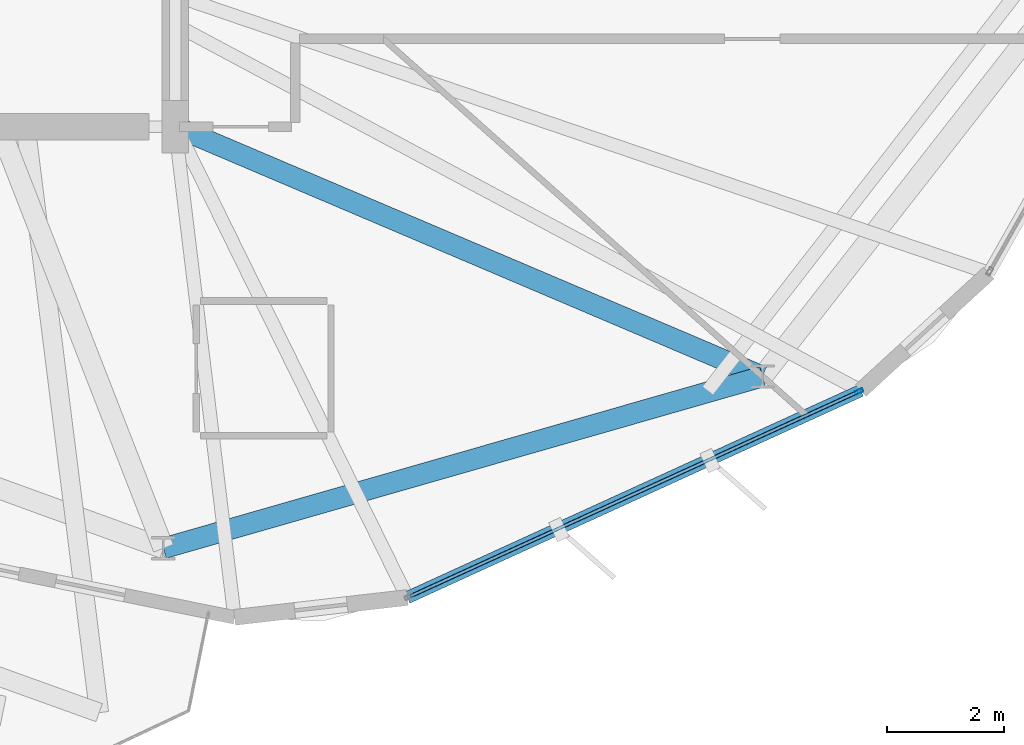
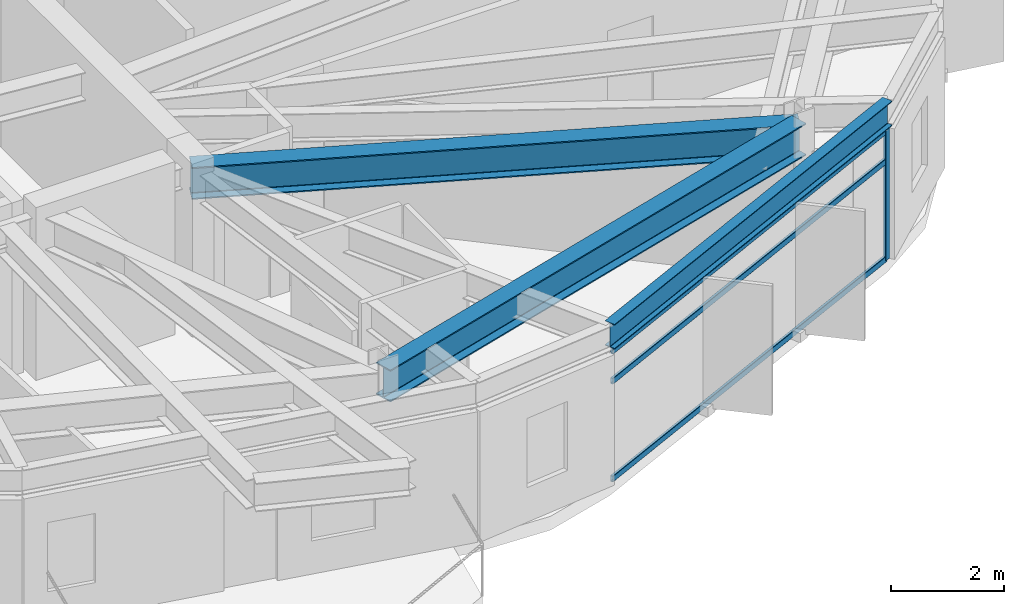
# One storey, part 6 of 23: 4 members, 3 beams, 1 element without a shape of its own.
"""IFC4 building model written with IfcOpenShell, lengths in metres."""

from ifc_helpers import new_model, si_unit, direction, frame, origin, origin_2d, place, context, subcontext, project, spatial, hollow_rectangle, i_section, extrude, material, layer, layer_set, material_profile, profile_set, type_object, element, aggregate, save


model = new_model("IFC4")

# Units and contexts
model_context = context("Model", 3, precision=1e-05, world=origin(), true_north=direction((0.0, 1.0)))
body_context = subcontext(model_context, "Body", "Model", "MODEL_VIEW")
ifc_project = project(units=[si_unit("LENGTHUNIT", "METRE"), si_unit("AREAUNIT", "SQUARE_METRE"), si_unit("VOLUMEUNIT", "CUBIC_METRE"), si_unit("PLANEANGLEUNIT", "RADIAN"), si_unit("MASSUNIT", "GRAM", prefix="KILO")], contexts=[model_context])

# Site, building, storey
site_placement = place(None, origin())
site = spatial("IfcSite", under=ifc_project, at=site_placement, CompositionType="ELEMENT")
building_placement = place(site_placement, origin())
building = spatial("IfcBuilding", under=site, at=building_placement, Name="Soratama Intermodal Tower", CompositionType="ELEMENT")
storey_placement = place(building_placement, frame((0.0, 0.0, 261.25)))
storey = spatial("IfcBuildingStorey", under=building, at=storey_placement, Name="L66", CompositionType="ELEMENT", Elevation=261.25)

# Beams
ifc_material_1 = material(Name="Structural steel ASTM A992 Grade 50", Category="steel")
ifc_material_profile_1 = material_profile(ifc_material_1, i_section(OverallWidth=0.35498046875, OverallDepth=0.695068359375, WebThickness=0.015380859375, FlangeThickness=0.02490234375, FilletRadius=0.01611328125, at=origin_2d()), Name="W27X146")
ifc_profile_set_1 = profile_set([ifc_material_profile_1], Name="Structural steel ASTM A992 Grade 50")
beam_type_1 = type_object("IfcBeamType", Name="BM-RING-W27X146", PredefinedType="BEAM", material=ifc_profile_set_1)
beam_1_placement = place(storey_placement, frame((44.39990234375, 7.81103515625, 3.1025390625), z_axis=(0.961262636932, 0.27563407416, 0.0), x_axis=(-0.27563407416, 0.961262636932, 0.0)))
element("IfcBeam", 1, at=beam_1_placement, inside=storey, type_object=beam_type_1, Name="BM-L66-RING-08", PredefinedType="BEAM", context=body_context, shape_type="SweptSolid", body=[
    extrude(i_section(OverallWidth=0.35498046875, OverallDepth=0.695068359375, WebThickness=0.015380859375, FlangeThickness=0.02490234375, FilletRadius=0.01611328125, at=origin_2d()), origin(), (0.0, 0.0, 1.0), 10.6298828125),
])
beam_2_placement = place(storey_placement, frame((44.60009765625, 15.0, 3.1025390625), z_axis=(0.920282671955, -0.391254142087, 0.0), x_axis=(0.391254142087, 0.920282671955, 0.0)))
element("IfcBeam", 2, at=beam_2_placement, inside=storey, type_object=beam_type_1, Name="BM-L66-RAD-09", PredefinedType="BEAM", context=body_context, shape_type="SweptSolid", body=[
    extrude(i_section(OverallWidth=0.35498046875, OverallDepth=0.695068359375, WebThickness=0.015380859375, FlangeThickness=0.02490234375, FilletRadius=0.01611328125, at=origin_2d()), origin(), (0.0, 0.0, 1.0), 10.885498046875),
])
ifc_material_2 = material(Name="Structural steel ASTM A992 Grade 50", Category="steel")
ifc_material_profile_2 = material_profile(ifc_material_2, i_section(OverallWidth=0.2099609375, OverallDepth=0.537109375, WebThickness=0.010986328125, FlangeThickness=0.017333984375, FilletRadius=0.012939453125, at=origin_2d()), Name="W21X68")
ifc_profile_set_2 = profile_set([ifc_material_profile_2], Name="Structural steel ASTM A992 Grade 50")
beam_type_2 = type_object("IfcBeamType", Name="BM-SPN-W21X68", PredefinedType="SPANDREL", material=ifc_profile_set_2)
beam_3_placement = place(storey_placement, frame((48.56005859375, 6.969970703125, 3.181396484375), z_axis=(0.909677623977, 0.415315085731, 0.0), x_axis=(-0.415315085731, 0.909677623977, 0.0)))
element("IfcBeam", 3, at=beam_3_placement, inside=storey, type_object=beam_type_2, Name="BS-L66-F07", PredefinedType="SPANDREL", context=body_context, shape_type="SweptSolid", body=[
    extrude(i_section(OverallWidth=0.2099609375, OverallDepth=0.537109375, WebThickness=0.010986328125, FlangeThickness=0.017333984375, FilletRadius=0.012939453125, at=origin_2d()), origin(), (0.0, 0.0, 1.0), 8.499755859375),
])

# Curtain wall, members
ifc_material_3 = material(Name="Double-glazed aluminium curtain wall", Category="aluminium")
ifc_layer = layer(ifc_material_3, 0.159912109375)
ifc_layer_set = layer_set([ifc_layer], Name="Double-glazed aluminium curtain wall")
curtain_wall_type = type_object("IfcCurtainWallType", Name="CW-SYS-5", PredefinedType="NOTDEFINED", material=ifc_layer_set)
curtain_wall_placement = place(storey_placement, origin())
curtain_wall = element("IfcCurtainWall", 4, at=curtain_wall_placement, inside=storey, type_object=curtain_wall_type, Name="L66 Faceted Curtain Wall F07", PredefinedType="NOTDEFINED")
ifc_material_4 = material(Name="Anodised aluminium AA 6063-T6", Category="aluminium")
ifc_material_profile_3 = material_profile(ifc_material_4, hollow_rectangle(XDim=0.06494140625, YDim=0.139892578125, WallThickness=0.0048828125, InnerFilletRadius=0.0048828125, OuterFilletRadius=0.010009765625, at=origin_2d()), Name="CWM140X65X5")
ifc_profile_set_3 = profile_set([ifc_material_profile_3], Name="Anodised aluminium AA 6063-T6")
member_type_1 = type_object("IfcMemberType", Name="MT-CWM-5", PredefinedType="MULLION", material=ifc_profile_set_3)
member_1_placement = place(storey_placement, frame((56.2646484375, 10.48779296875, 0.0), z_axis=(0.0, 0.0, 1.0), x_axis=(-0.415328753182, 0.909671383951, 0.0)))
member_1 = element("IfcMember", 5, at=member_1_placement, type_object=member_type_1, Name="CW-5 mullion 2", PredefinedType="MULLION", context=body_context, shape_type="SweptSolid", body=[
    extrude(hollow_rectangle(XDim=0.06494140625, YDim=0.139892578125, WallThickness=0.0048828125, InnerFilletRadius=0.0048828125, OuterFilletRadius=0.010009765625, at=origin_2d()), origin(), (0.0, 0.0, 1.0), 2.8291015625),
])
ifc_material_5 = material(Name="Anodised aluminium AA 6063-T6", Category="aluminium")
ifc_material_profile_4 = material_profile(ifc_material_5, hollow_rectangle(XDim=0.06005859375, YDim=0.1298828125, WallThickness=0.0048828125, InnerFilletRadius=0.0048828125, OuterFilletRadius=0.010009765625, at=origin_2d()), Name="CWT130X60X5")
ifc_profile_set_4 = profile_set([ifc_material_profile_4], Name="Anodised aluminium AA 6063-T6")
member_type_2 = type_object("IfcMemberType", Name="TT-CWT-2", PredefinedType="USERDEFINED", material=ifc_profile_set_4)
member_2_placement = place(storey_placement, frame((48.614501953125, 6.9951171875, 0.030029296875), z_axis=(0.909676757508, 0.415316983579, 0.0), x_axis=(-0.415316983579, 0.909676757508, 0.0)))
member_2 = element("IfcMember", 6, at=member_2_placement, type_object=member_type_2, Name="CW-5 transom 1.1", ObjectType="TRANSOM", PredefinedType="USERDEFINED", context=body_context, shape_type="SweptSolid", body=[
    extrude(hollow_rectangle(XDim=0.06005859375, YDim=0.1298828125, WallThickness=0.0048828125, InnerFilletRadius=0.0048828125, OuterFilletRadius=0.010009765625, at=origin_2d()), origin(), (0.0, 0.0, 1.0), 8.379638671875),
])
member_3_placement = place(storey_placement, frame((48.614501953125, 6.9951171875, 2.14990234375), z_axis=(0.909676757508, 0.415316983579, 0.0), x_axis=(-0.415316983579, 0.909676757508, 0.0)))
member_3 = element("IfcMember", 7, at=member_3_placement, type_object=member_type_2, Name="CW-5 transom 1.2", ObjectType="TRANSOM", PredefinedType="USERDEFINED", context=body_context, shape_type="SweptSolid", body=[
    extrude(hollow_rectangle(XDim=0.06005859375, YDim=0.1298828125, WallThickness=0.0048828125, InnerFilletRadius=0.0048828125, OuterFilletRadius=0.010009765625, at=origin_2d()), origin(), (0.0, 0.0, 1.0), 8.379638671875),
])
member_4_placement = place(storey_placement, frame((48.614501953125, 6.9951171875, 2.799072265625), z_axis=(0.909676757508, 0.415316983579, 0.0), x_axis=(-0.415316983579, 0.909676757508, 0.0)))
member_4 = element("IfcMember", 8, at=member_4_placement, type_object=member_type_2, Name="CW-5 transom 1.3", ObjectType="TRANSOM", PredefinedType="USERDEFINED", context=body_context, shape_type="SweptSolid", body=[
    extrude(hollow_rectangle(XDim=0.06005859375, YDim=0.1298828125, WallThickness=0.0048828125, InnerFilletRadius=0.0048828125, OuterFilletRadius=0.010009765625, at=origin_2d()), origin(), (0.0, 0.0, 1.0), 8.379638671875),
])
aggregate(curtain_wall, [member_1, member_2, member_3, member_4])

save(model, "model.ifc")
